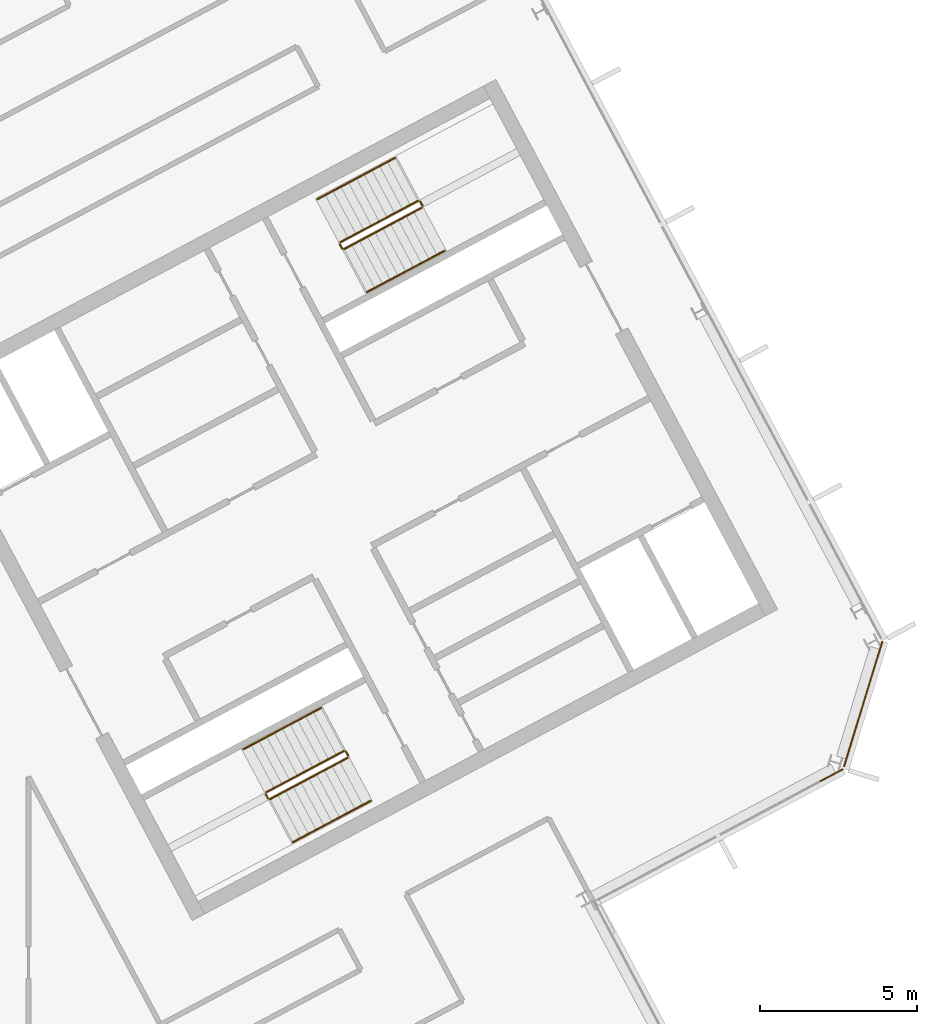
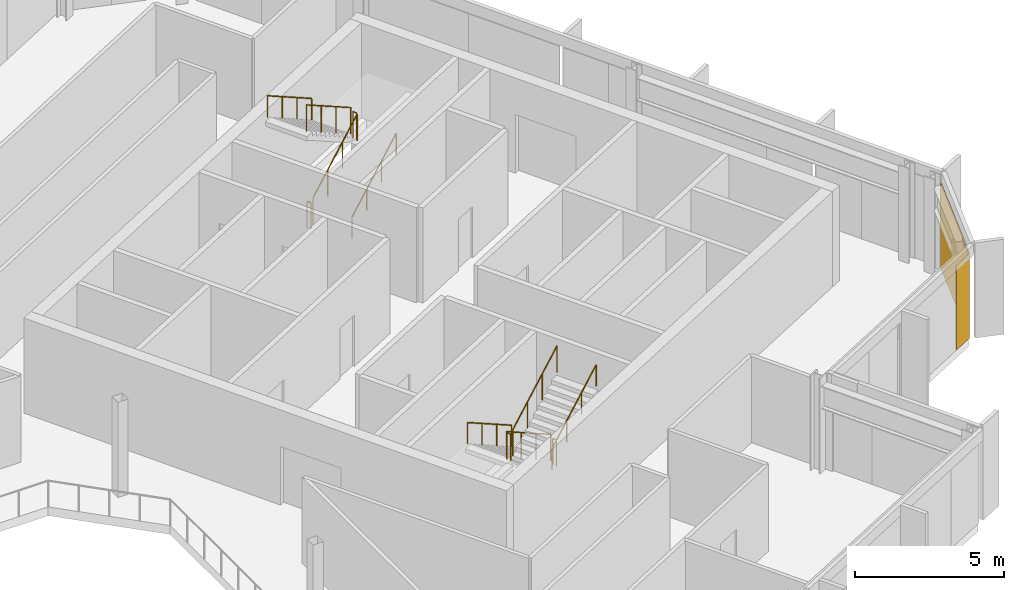
# One storey, part 25 of 26: 12 railings, 2 coverings, 2 elements without a shape of their own.
"""IFC4 building model written with IfcOpenShell, lengths in metres."""

from ifc_helpers import new_model, si_unit, direction, frame, origin, origin_2d, place, context, subcontext, project, spatial, polyline, rectangle, outline, extrude, material, layer, layer_set, type_object, element, aggregate, save


model = new_model("IFC4")

# Units and contexts
model_context = context("Model", 3, precision=1e-05, world=origin(), true_north=direction((0.0, 1.0)))
body_context = subcontext(model_context, "Body", "Model", "MODEL_VIEW")
ifc_project = project(units=[si_unit("LENGTHUNIT", "METRE"), si_unit("AREAUNIT", "SQUARE_METRE"), si_unit("VOLUMEUNIT", "CUBIC_METRE"), si_unit("PLANEANGLEUNIT", "RADIAN"), si_unit("MASSUNIT", "GRAM", prefix="KILO")], contexts=[model_context])

# Site, building, storey
site_placement = place(None, origin())
site = spatial("IfcSite", under=ifc_project, at=site_placement, CompositionType="ELEMENT")
building_placement = place(site_placement, origin())
building = spatial("IfcBuilding", under=site, at=building_placement, Name="Cormorant Relay Tower", CompositionType="ELEMENT")
storey_placement = place(building_placement, frame((0.0, 0.0, 312.60009765625)))
storey = spatial("IfcBuildingStorey", under=building, at=storey_placement, Name="L71", CompositionType="ELEMENT", Elevation=312.60009765625)

# Curtain wall, covering
ifc_material_1 = material(Name="Aluminium 6063-T6 anodised bronze", Category="aluminium")
ifc_layer_1 = layer(ifc_material_1, 0.199951171875)
ifc_layer_set_1 = layer_set([ifc_layer_1], Name="CW1 unitised bronze curtain wall with vertical fins")
curtain_wall_type = type_object("IfcCurtainWallType", Name="CW1 unitised bronze curtain wall with vertical fins", PredefinedType="NOTDEFINED", material=ifc_layer_set_1)
curtain_wall_1_placement = place(storey_placement, origin())
curtain_wall_1 = element("IfcCurtainWall", 1, at=curtain_wall_1_placement, inside=storey, type_object=curtain_wall_type, Name="CW1 curtain wall 4", PredefinedType="NOTDEFINED")
ifc_material_2 = material(Name="Pale bronze anodised aluminium insulated panel", Category="aluminium")
ifc_layer_2 = layer(ifc_material_2, 0.0400390625)
ifc_layer_set_2 = layer_set([ifc_layer_2], Name="CW1 pale bronze insulated panel 40")
covering_type = type_object("IfcCoveringType", Name="CW1 pale bronze insulated panel 40", PredefinedType="CLADDING", material=ifc_layer_set_2)
covering_1_placement = place(storey_placement, frame((39.356201171875, 3.914794921875, 0.0), z_axis=(0.0, 0.0, 1.0), x_axis=(0.882947592859, 0.469471562786, 0.0)))
covering_1 = element("IfcCovering", 2, at=covering_1_placement, type_object=covering_type, Name="CW1 panel S03", PredefinedType="CLADDING", context=body_context, shape_type="SweptSolid", body=[
    extrude(rectangle(XDim=0.824951171875, YDim=0.0400390625, at=origin_2d()), origin(), (0.0, 0.0, 1.0), 3.449951171875),
])
aggregate(curtain_wall_1, [covering_1])

curtain_wall_2_placement = place(storey_placement, origin())
curtain_wall_2 = element("IfcCurtainWall", 3, at=curtain_wall_2_placement, inside=storey, type_object=curtain_wall_type, Name="CW1 curtain wall 5", PredefinedType="NOTDEFINED")
covering_2_placement = place(storey_placement, frame((40.361328125, 6.184814453125, 0.0), z_axis=(0.0, 0.0, 1.0), x_axis=(0.292371704723, 0.956304755963, 0.0)))
covering_2 = element("IfcCovering", 4, at=covering_2_placement, type_object=covering_type, Name="CW1 panel S00", PredefinedType="CLADDING", context=body_context, shape_type="SweptSolid", body=[
    extrude(rectangle(XDim=4.16748046875, YDim=0.0400390625, at=origin_2d()), origin(), (0.0, 0.0, 1.0), 3.449951171875),
])
aggregate(curtain_wall_2, [covering_2])

# Railings
ifc_material_3 = material(Name="Steel ASTM A572 Grade 50 (Fy 345 MPa)", Category="steel")
railing_type_1 = type_object("IfcRailingType", Name="Stair guard 1100", PredefinedType="GUARDRAIL", material=ifc_material_3)
railing_1_placement = place(storey_placement, frame((23.83837890625, 4.6904296875, 0.17724609375)))
element("IfcRailing", 5, at=railing_1_placement, inside=storey, type_object=railing_type_1, Name="L71 B1 stair guard 1", PredefinedType="GUARDRAIL", context=body_context, shape_type="SweptSolid", body=[
    extrude(outline(polyline([(0.022216796875, 0.00927734375), (0.00927734375, 0.022216796875), (-0.00927734375, 0.022216796875), (-0.022216796875, 0.00927734375), (-0.022216796875, -0.00927734375), (-0.00927734375, -0.022216796875), (0.00927734375, -0.022216796875), (0.022216796875, -0.00927734375), (0.022216796875, 0.00927734375)])), frame((0.0, 0.0, 1.076171875), z_axis=(-0.746033882577, -0.396627473466, 0.534901947407), x_axis=(0.469429322983, -0.882970050864, 0.0)), (0.0, 0.0, 1.0), 3.31396484375),
    extrude(outline(polyline([(0.019287109375, 0.008056640625), (0.008056640625, 0.019287109375), (-0.008056640625, 0.019287109375), (-0.019287109375, 0.008056640625), (-0.019287109375, -0.008056640625), (-0.008056640625, -0.019287109375), (0.008056640625, -0.019287109375), (0.019287109375, -0.008056640625), (0.019287109375, 0.008056640625)])), origin(), (0.0, 0.0, 1.0), 1.052001953125),
    extrude(outline(polyline([(0.019287109375, 0.008056640625), (0.008056640625, 0.019287109375), (-0.008056640625, 0.019287109375), (-0.019287109375, 0.008056640625), (-0.019287109375, -0.008056640625), (-0.008056640625, -0.019287109375), (0.008056640625, -0.019287109375), (0.019287109375, -0.008056640625), (0.019287109375, 0.008056640625)])), frame((-0.82421875, -0.438232421875, 0.5908203125)), (0.0, 0.0, 1.0), 1.052001953125),
    extrude(outline(polyline([(0.019287109375, 0.008056640625), (0.008056640625, 0.019287109375), (-0.008056640625, 0.019287109375), (-0.019287109375, 0.008056640625), (-0.019287109375, -0.008056640625), (-0.008056640625, -0.019287109375), (0.008056640625, -0.019287109375), (0.019287109375, -0.008056640625), (0.019287109375, 0.008056640625)])), frame((-1.648193359375, -0.876220703125, 1.181884765625)), (0.0, 0.0, 1.0), 1.052001953125),
    extrude(outline(polyline([(0.019287109375, 0.008056640625), (0.008056640625, 0.019287109375), (-0.008056640625, 0.019287109375), (-0.019287109375, 0.008056640625), (-0.019287109375, -0.008056640625), (-0.008056640625, -0.019287109375), (0.008056640625, -0.019287109375), (0.019287109375, -0.008056640625), (0.019287109375, 0.008056640625)])), frame((-2.472412109375, -1.314453125, 1.772705078125)), (0.0, 0.0, 1.0), 1.052001953125),
])
railing_2_placement = place(storey_placement, frame((21.345458984375, 3.308349609375, 1.949951171875)))
element("IfcRailing", 6, at=railing_2_placement, inside=storey, type_object=railing_type_1, Name="L71 B1 stair guard 2", PredefinedType="GUARDRAIL", context=body_context, shape_type="SweptSolid", body=[
    extrude(outline(polyline([(0.022216796875, 0.00927734375), (0.00927734375, 0.022216796875), (-0.00927734375, 0.022216796875), (-0.022216796875, 0.00927734375), (-0.022216796875, -0.00927734375), (-0.00927734375, -0.022216796875), (0.00927734375, -0.022216796875), (0.022216796875, -0.00927734375), (0.022216796875, 0.00927734375)])), frame((0.0, 0.0, 1.076171875), z_axis=(0.46856034887, -0.8834314911, 0.0), x_axis=(0.8834314911, 0.46856034887, 0.0)), (0.0, 0.0, 1.0), 0.150146484375),
    extrude(outline(polyline([(0.019287109375, 0.008056640625), (0.008056640625, 0.019287109375), (-0.008056640625, 0.019287109375), (-0.019287109375, 0.008056640625), (-0.019287109375, -0.008056640625), (-0.008056640625, -0.019287109375), (0.008056640625, -0.019287109375), (0.019287109375, -0.008056640625), (0.019287109375, 0.008056640625)])), origin(), (0.0, 0.0, 1.0), 1.052001953125),
    extrude(outline(polyline([(0.019287109375, 0.008056640625), (0.008056640625, 0.019287109375), (-0.008056640625, 0.019287109375), (-0.019287109375, 0.008056640625), (-0.019287109375, -0.008056640625), (-0.008056640625, -0.019287109375), (0.008056640625, -0.019287109375), (0.019287109375, -0.008056640625), (0.019287109375, 0.008056640625)])), frame((0.0703125, -0.132568359375, 0.0)), (0.0, 0.0, 1.0), 1.052001953125),
])
railing_3_placement = place(storey_placement, frame((21.4833984375, 3.1552734375, 2.127197265625)))
element("IfcRailing", 7, at=railing_3_placement, inside=storey, type_object=railing_type_1, Name="L71 B1 stair guard 3", PredefinedType="GUARDRAIL", context=body_context, shape_type="SweptSolid", body=[
    extrude(outline(polyline([(0.022216796875, 0.00927734375), (0.00927734375, 0.022216796875), (-0.00927734375, 0.022216796875), (-0.022216796875, 0.00927734375), (-0.022216796875, -0.00927734375), (-0.00927734375, -0.022216796875), (0.00927734375, -0.022216796875), (0.022216796875, -0.00927734375), (0.022216796875, 0.00927734375)])), frame((0.0, 0.0, 1.076171875), z_axis=(0.746001213114, 0.396649272309, 0.534931345884), x_axis=(-0.469465464807, 0.882950835185, 0.0)), (0.0, 0.0, 1.0), 3.31396484375),
    extrude(outline(polyline([(0.019287109375, 0.008056640625), (0.008056640625, 0.019287109375), (-0.008056640625, 0.019287109375), (-0.019287109375, 0.008056640625), (-0.019287109375, -0.008056640625), (-0.008056640625, -0.019287109375), (0.008056640625, -0.019287109375), (0.019287109375, -0.008056640625), (0.019287109375, 0.008056640625)])), origin(), (0.0, 0.0, 1.0), 1.052001953125),
    extrude(outline(polyline([(0.019287109375, 0.008056640625), (0.008056640625, 0.019287109375), (-0.008056640625, 0.019287109375), (-0.019287109375, 0.008056640625), (-0.019287109375, -0.008056640625), (-0.008056640625, -0.019287109375), (0.008056640625, -0.019287109375), (0.019287109375, -0.008056640625), (0.019287109375, 0.008056640625)])), frame((0.823974609375, 0.438232421875, 0.5908203125)), (0.0, 0.0, 1.0), 1.052001953125),
    extrude(outline(polyline([(0.019287109375, 0.008056640625), (0.008056640625, 0.019287109375), (-0.008056640625, 0.019287109375), (-0.019287109375, 0.008056640625), (-0.019287109375, -0.008056640625), (-0.008056640625, -0.019287109375), (0.008056640625, -0.019287109375), (0.019287109375, -0.008056640625), (0.019287109375, 0.008056640625)])), frame((1.648193359375, 0.876220703125, 1.181884765625)), (0.0, 0.0, 1.0), 1.052001953125),
    extrude(outline(polyline([(0.019287109375, 0.008056640625), (0.008056640625, 0.019287109375), (-0.008056640625, 0.019287109375), (-0.019287109375, 0.008056640625), (-0.019287109375, -0.008056640625), (-0.008056640625, -0.019287109375), (0.008056640625, -0.019287109375), (0.019287109375, -0.008056640625), (0.019287109375, 0.008056640625)])), frame((2.47216796875, 1.314453125, 1.772705078125)), (0.0, 0.0, 1.0), 1.052001953125),
])
railing_4_placement = place(storey_placement, frame((23.906005859375, 4.669677734375, 0.0)))
element("IfcRailing", 8, at=railing_4_placement, inside=storey, type_object=railing_type_1, Name="L71 B1 stair guard 4", PredefinedType="GUARDRAIL", context=body_context, shape_type="SweptSolid", body=[
    extrude(outline(polyline([(0.022216796875, 0.00927734375), (0.00927734375, 0.022216796875), (-0.00927734375, 0.022216796875), (-0.022216796875, 0.00927734375), (-0.022216796875, -0.00927734375), (-0.00927734375, -0.022216796875), (0.00927734375, -0.022216796875), (0.022216796875, -0.00927734375), (0.022216796875, 0.00927734375)])), frame((0.0, 0.0, 1.076171875), z_axis=(0.469234640946, -0.883073525669, 0.0), x_axis=(0.883073525669, 0.469234640946, 0.0)), (0.0, 0.0, 1.0), 0.14990234375),
    extrude(outline(polyline([(0.019287109375, 0.008056640625), (0.008056640625, 0.019287109375), (-0.008056640625, 0.019287109375), (-0.019287109375, 0.008056640625), (-0.019287109375, -0.008056640625), (-0.008056640625, -0.019287109375), (0.008056640625, -0.019287109375), (0.019287109375, -0.008056640625), (0.019287109375, 0.008056640625)])), origin(), (0.0, 0.0, 1.0), 1.052001953125),
    extrude(outline(polyline([(0.019287109375, 0.008056640625), (0.008056640625, 0.019287109375), (-0.008056640625, 0.019287109375), (-0.019287109375, 0.008056640625), (-0.019287109375, -0.008056640625), (-0.008056640625, -0.019287109375), (0.008056640625, -0.019287109375), (0.019287109375, -0.008056640625), (0.019287109375, 0.008056640625)])), frame((0.0703125, -0.13232421875, 0.0)), (0.0, 0.0, 1.0), 1.052001953125),
])
railing_5_placement = place(storey_placement, frame((23.8408203125, 20.6611328125, 0.17724609375)))
element("IfcRailing", 9, at=railing_5_placement, inside=storey, type_object=railing_type_1, Name="L71 B2 stair guard 1", PredefinedType="GUARDRAIL", context=body_context, shape_type="SweptSolid", body=[
    extrude(outline(polyline([(0.022216796875, 0.00927734375), (0.00927734375, 0.022216796875), (-0.00927734375, 0.022216796875), (-0.022216796875, 0.00927734375), (-0.022216796875, -0.00927734375), (-0.00927734375, -0.022216796875), (0.00927734375, -0.022216796875), (0.022216796875, -0.00927734375), (0.022216796875, 0.00927734375)])), frame((0.0, 0.0, 1.076171875), z_axis=(0.746033882577, 0.396627473466, 0.534901947407), x_axis=(-0.469429322983, 0.882970050864, 0.0)), (0.0, 0.0, 1.0), 3.31396484375),
    extrude(outline(polyline([(0.019287109375, 0.008056640625), (0.008056640625, 0.019287109375), (-0.008056640625, 0.019287109375), (-0.019287109375, 0.008056640625), (-0.019287109375, -0.008056640625), (-0.008056640625, -0.019287109375), (0.008056640625, -0.019287109375), (0.019287109375, -0.008056640625), (0.019287109375, 0.008056640625)])), origin(), (0.0, 0.0, 1.0), 1.052001953125),
    extrude(outline(polyline([(0.019287109375, 0.008056640625), (0.008056640625, 0.019287109375), (-0.008056640625, 0.019287109375), (-0.019287109375, 0.008056640625), (-0.019287109375, -0.008056640625), (-0.008056640625, -0.019287109375), (0.008056640625, -0.019287109375), (0.019287109375, -0.008056640625), (0.019287109375, 0.008056640625)])), frame((0.82421875, 0.438232421875, 0.5908203125)), (0.0, 0.0, 1.0), 1.052001953125),
    extrude(outline(polyline([(0.019287109375, 0.008056640625), (0.008056640625, 0.019287109375), (-0.008056640625, 0.019287109375), (-0.019287109375, 0.008056640625), (-0.019287109375, -0.008056640625), (-0.008056640625, -0.019287109375), (0.008056640625, -0.019287109375), (0.019287109375, -0.008056640625), (0.019287109375, 0.008056640625)])), frame((1.648193359375, 0.876220703125, 1.181884765625)), (0.0, 0.0, 1.0), 1.052001953125),
    extrude(outline(polyline([(0.019287109375, 0.008056640625), (0.008056640625, 0.019287109375), (-0.008056640625, 0.019287109375), (-0.019287109375, 0.008056640625), (-0.019287109375, -0.008056640625), (-0.008056640625, -0.019287109375), (0.008056640625, -0.019287109375), (0.019287109375, -0.008056640625), (0.019287109375, 0.008056640625)])), frame((2.472412109375, 1.314453125, 1.772705078125)), (0.0, 0.0, 1.0), 1.052001953125),
])
railing_6_placement = place(storey_placement, frame((26.333740234375, 22.043212890625, 1.949951171875)))
element("IfcRailing", 10, at=railing_6_placement, inside=storey, type_object=railing_type_1, Name="L71 B2 stair guard 2", PredefinedType="GUARDRAIL", context=body_context, shape_type="SweptSolid", body=[
    extrude(outline(polyline([(0.022216796875, 0.00927734375), (0.00927734375, 0.022216796875), (-0.00927734375, 0.022216796875), (-0.022216796875, 0.00927734375), (-0.022216796875, -0.00927734375), (-0.00927734375, -0.022216796875), (0.00927734375, -0.022216796875), (0.022216796875, -0.00927734375), (0.022216796875, 0.00927734375)])), frame((0.0, 0.0, 1.076171875), z_axis=(-0.469234640946, 0.883073525669, 0.0), x_axis=(-0.883073525669, -0.469234640946, 0.0)), (0.0, 0.0, 1.0), 0.14990234375),
    extrude(outline(polyline([(0.019287109375, 0.008056640625), (0.008056640625, 0.019287109375), (-0.008056640625, 0.019287109375), (-0.019287109375, 0.008056640625), (-0.019287109375, -0.008056640625), (-0.008056640625, -0.019287109375), (0.008056640625, -0.019287109375), (0.019287109375, -0.008056640625), (0.019287109375, 0.008056640625)])), origin(), (0.0, 0.0, 1.0), 1.052001953125),
    extrude(outline(polyline([(0.019287109375, 0.008056640625), (0.008056640625, 0.019287109375), (-0.008056640625, 0.019287109375), (-0.019287109375, 0.008056640625), (-0.019287109375, -0.008056640625), (-0.008056640625, -0.019287109375), (0.008056640625, -0.019287109375), (0.019287109375, -0.008056640625), (0.019287109375, 0.008056640625)])), frame((-0.0703125, 0.13232421875, 0.0)), (0.0, 0.0, 1.0), 1.052001953125),
])
railing_7_placement = place(storey_placement, frame((26.19580078125, 22.1962890625, 2.127197265625)))
element("IfcRailing", 11, at=railing_7_placement, inside=storey, type_object=railing_type_1, Name="L71 B2 stair guard 3", PredefinedType="GUARDRAIL", context=body_context, shape_type="SweptSolid", body=[
    extrude(outline(polyline([(0.022216796875, 0.00927734375), (0.00927734375, 0.022216796875), (-0.00927734375, 0.022216796875), (-0.022216796875, 0.00927734375), (-0.022216796875, -0.00927734375), (-0.00927734375, -0.022216796875), (0.00927734375, -0.022216796875), (0.022216796875, -0.00927734375), (0.022216796875, 0.00927734375)])), frame((0.0, 0.0, 1.076171875), z_axis=(-0.746033882577, -0.396627473466, 0.534901947407), x_axis=(0.469429322983, -0.882970050864, 0.0)), (0.0, 0.0, 1.0), 3.31396484375),
    extrude(outline(polyline([(0.019287109375, 0.008056640625), (0.008056640625, 0.019287109375), (-0.008056640625, 0.019287109375), (-0.019287109375, 0.008056640625), (-0.019287109375, -0.008056640625), (-0.008056640625, -0.019287109375), (0.008056640625, -0.019287109375), (0.019287109375, -0.008056640625), (0.019287109375, 0.008056640625)])), origin(), (0.0, 0.0, 1.0), 1.052001953125),
    extrude(outline(polyline([(0.019287109375, 0.008056640625), (0.008056640625, 0.019287109375), (-0.008056640625, 0.019287109375), (-0.019287109375, 0.008056640625), (-0.019287109375, -0.008056640625), (-0.008056640625, -0.019287109375), (0.008056640625, -0.019287109375), (0.019287109375, -0.008056640625), (0.019287109375, 0.008056640625)])), frame((-0.82421875, -0.438232421875, 0.5908203125)), (0.0, 0.0, 1.0), 1.052001953125),
    extrude(outline(polyline([(0.019287109375, 0.008056640625), (0.008056640625, 0.019287109375), (-0.008056640625, 0.019287109375), (-0.019287109375, 0.008056640625), (-0.019287109375, -0.008056640625), (-0.008056640625, -0.019287109375), (0.008056640625, -0.019287109375), (0.019287109375, -0.008056640625), (0.019287109375, 0.008056640625)])), frame((-1.648193359375, -0.876220703125, 1.181884765625)), (0.0, 0.0, 1.0), 1.052001953125),
    extrude(outline(polyline([(0.019287109375, 0.008056640625), (0.008056640625, 0.019287109375), (-0.008056640625, 0.019287109375), (-0.019287109375, 0.008056640625), (-0.019287109375, -0.008056640625), (-0.008056640625, -0.019287109375), (0.008056640625, -0.019287109375), (0.019287109375, -0.008056640625), (0.019287109375, 0.008056640625)])), frame((-2.472412109375, -1.314453125, 1.772705078125)), (0.0, 0.0, 1.0), 1.052001953125),
])
railing_8_placement = place(storey_placement, frame((23.773193359375, 20.681640625, 0.0)))
element("IfcRailing", 12, at=railing_8_placement, inside=storey, type_object=railing_type_1, Name="L71 B2 stair guard 4", PredefinedType="GUARDRAIL", context=body_context, shape_type="SweptSolid", body=[
    extrude(outline(polyline([(0.022216796875, 0.00927734375), (0.00927734375, 0.022216796875), (-0.00927734375, 0.022216796875), (-0.022216796875, 0.00927734375), (-0.022216796875, -0.00927734375), (-0.00927734375, -0.022216796875), (0.00927734375, -0.022216796875), (0.022216796875, -0.00927734375), (0.022216796875, 0.00927734375)])), frame((0.0, 0.0, 1.076171875), z_axis=(-0.46856034887, 0.8834314911, 0.0), x_axis=(-0.8834314911, -0.46856034887, 0.0)), (0.0, 0.0, 1.0), 0.150146484375),
    extrude(outline(polyline([(0.019287109375, 0.008056640625), (0.008056640625, 0.019287109375), (-0.008056640625, 0.019287109375), (-0.019287109375, 0.008056640625), (-0.019287109375, -0.008056640625), (-0.008056640625, -0.019287109375), (0.008056640625, -0.019287109375), (0.019287109375, -0.008056640625), (0.019287109375, 0.008056640625)])), origin(), (0.0, 0.0, 1.0), 1.052001953125),
    extrude(outline(polyline([(0.019287109375, 0.008056640625), (0.008056640625, 0.019287109375), (-0.008056640625, 0.019287109375), (-0.019287109375, 0.008056640625), (-0.019287109375, -0.008056640625), (-0.008056640625, -0.019287109375), (0.008056640625, -0.019287109375), (0.019287109375, -0.008056640625), (0.019287109375, 0.008056640625)])), frame((-0.0703125, 0.132568359375, 0.0)), (0.0, 0.0, 1.0), 1.052001953125),
])
ifc_material_4 = material(Name="Steel ASTM A572 Grade 50 (Fy 345 MPa)", Category="steel")
railing_type_2 = type_object("IfcRailingType", Name="Stair handrail 900", PredefinedType="HANDRAIL", material=ifc_material_4)
railing_9_placement = place(storey_placement, frame((23.110595703125, 6.05908203125, 0.17724609375)))
element("IfcRailing", 13, at=railing_9_placement, inside=storey, type_object=railing_type_2, Name="L71 B1 stair handrail 1", PredefinedType="HANDRAIL", context=body_context, shape_type="SweptSolid", body=[
    extrude(outline(polyline([(0.022216796875, 0.00927734375), (0.00927734375, 0.022216796875), (-0.00927734375, 0.022216796875), (-0.022216796875, 0.00927734375), (-0.022216796875, -0.00927734375), (-0.00927734375, -0.022216796875), (0.00927734375, -0.022216796875), (0.022216796875, -0.00927734375), (0.022216796875, 0.00927734375)])), frame((0.0, 0.0, 0.8759765625), z_axis=(-0.745979412481, -0.396711350603, 0.534915713414), x_axis=(0.469533439143, -0.882914689835, 0.0)), (0.0, 0.0, 1.0), 3.31396484375),
    extrude(outline(polyline([(0.019287109375, 0.008056640625), (0.008056640625, 0.019287109375), (-0.008056640625, 0.019287109375), (-0.019287109375, 0.008056640625), (-0.019287109375, -0.008056640625), (-0.008056640625, -0.019287109375), (0.008056640625, -0.019287109375), (0.019287109375, -0.008056640625), (0.019287109375, 0.008056640625)])), origin(), (0.0, 0.0, 1.0), 0.851806640625),
    extrude(outline(polyline([(0.019287109375, 0.008056640625), (0.008056640625, 0.019287109375), (-0.008056640625, 0.019287109375), (-0.019287109375, 0.008056640625), (-0.019287109375, -0.008056640625), (-0.008056640625, -0.019287109375), (0.008056640625, -0.019287109375), (0.019287109375, -0.008056640625), (0.019287109375, 0.008056640625)])), frame((-0.823974609375, -0.438232421875, 0.5908203125)), (0.0, 0.0, 1.0), 0.851806640625),
    extrude(outline(polyline([(0.019287109375, 0.008056640625), (0.008056640625, 0.019287109375), (-0.008056640625, 0.019287109375), (-0.019287109375, 0.008056640625), (-0.019287109375, -0.008056640625), (-0.008056640625, -0.019287109375), (0.008056640625, -0.019287109375), (0.019287109375, -0.008056640625), (0.019287109375, 0.008056640625)])), frame((-1.648193359375, -0.87646484375, 1.181884765625)), (0.0, 0.0, 1.0), 0.851806640625),
    extrude(outline(polyline([(0.019287109375, 0.008056640625), (0.008056640625, 0.019287109375), (-0.008056640625, 0.019287109375), (-0.019287109375, 0.008056640625), (-0.019287109375, -0.008056640625), (-0.008056640625, -0.019287109375), (0.008056640625, -0.019287109375), (0.019287109375, -0.008056640625), (0.019287109375, 0.008056640625)])), frame((-2.47216796875, -1.314697265625, 1.772705078125)), (0.0, 0.0, 1.0), 0.851806640625),
])
railing_10_placement = place(storey_placement, frame((22.211181640625, 1.78662109375, 2.127197265625)))
element("IfcRailing", 14, at=railing_10_placement, inside=storey, type_object=railing_type_2, Name="L71 B1 stair handrail 2", PredefinedType="HANDRAIL", context=body_context, shape_type="SweptSolid", body=[
    extrude(outline(polyline([(0.022216796875, 0.00927734375), (0.00927734375, 0.022216796875), (-0.00927734375, 0.022216796875), (-0.022216796875, 0.00927734375), (-0.022216796875, -0.00927734375), (-0.00927734375, -0.022216796875), (0.00927734375, -0.022216796875), (0.022216796875, -0.00927734375), (0.022216796875, 0.00927734375)])), frame((0.0, 0.0, 0.8759765625), z_axis=(0.746001213114, 0.396649272309, 0.534931345884), x_axis=(-0.469465464807, 0.882950835185, 0.0)), (0.0, 0.0, 1.0), 3.31396484375),
    extrude(outline(polyline([(0.019287109375, 0.008056640625), (0.008056640625, 0.019287109375), (-0.008056640625, 0.019287109375), (-0.019287109375, 0.008056640625), (-0.019287109375, -0.008056640625), (-0.008056640625, -0.019287109375), (0.008056640625, -0.019287109375), (0.019287109375, -0.008056640625), (0.019287109375, 0.008056640625)])), origin(), (0.0, 0.0, 1.0), 0.851806640625),
    extrude(outline(polyline([(0.019287109375, 0.008056640625), (0.008056640625, 0.019287109375), (-0.008056640625, 0.019287109375), (-0.019287109375, 0.008056640625), (-0.019287109375, -0.008056640625), (-0.008056640625, -0.019287109375), (0.008056640625, -0.019287109375), (0.019287109375, -0.008056640625), (0.019287109375, 0.008056640625)])), frame((0.823974609375, 0.438232421875, 0.5908203125)), (0.0, 0.0, 1.0), 0.851806640625),
    extrude(outline(polyline([(0.019287109375, 0.008056640625), (0.008056640625, 0.019287109375), (-0.008056640625, 0.019287109375), (-0.019287109375, 0.008056640625), (-0.019287109375, -0.008056640625), (-0.008056640625, -0.019287109375), (0.008056640625, -0.019287109375), (0.019287109375, -0.008056640625), (0.019287109375, 0.008056640625)])), frame((1.648193359375, 0.876220703125, 1.181884765625)), (0.0, 0.0, 1.0), 0.851806640625),
    extrude(outline(polyline([(0.019287109375, 0.008056640625), (0.008056640625, 0.019287109375), (-0.008056640625, 0.019287109375), (-0.019287109375, 0.008056640625), (-0.019287109375, -0.008056640625), (-0.008056640625, -0.019287109375), (0.008056640625, -0.019287109375), (0.019287109375, -0.008056640625), (0.019287109375, 0.008056640625)])), frame((2.47216796875, 1.314453125, 1.772705078125)), (0.0, 0.0, 1.0), 0.851806640625),
])
railing_11_placement = place(storey_placement, frame((24.568603515625, 19.29248046875, 0.17724609375)))
element("IfcRailing", 15, at=railing_11_placement, inside=storey, type_object=railing_type_2, Name="L71 B2 stair handrail 1", PredefinedType="HANDRAIL", context=body_context, shape_type="SweptSolid", body=[
    extrude(outline(polyline([(0.022216796875, 0.00927734375), (0.00927734375, 0.022216796875), (-0.00927734375, 0.022216796875), (-0.022216796875, 0.00927734375), (-0.022216796875, -0.00927734375), (-0.00927734375, -0.022216796875), (0.00927734375, -0.022216796875), (0.022216796875, -0.00927734375), (0.022216796875, 0.00927734375)])), frame((0.0, 0.0, 0.8759765625), z_axis=(0.746001213114, 0.396649272309, 0.534931345884), x_axis=(-0.469465464807, 0.882950835185, 0.0)), (0.0, 0.0, 1.0), 3.31396484375),
    extrude(outline(polyline([(0.019287109375, 0.008056640625), (0.008056640625, 0.019287109375), (-0.008056640625, 0.019287109375), (-0.019287109375, 0.008056640625), (-0.019287109375, -0.008056640625), (-0.008056640625, -0.019287109375), (0.008056640625, -0.019287109375), (0.019287109375, -0.008056640625), (0.019287109375, 0.008056640625)])), origin(), (0.0, 0.0, 1.0), 0.851806640625),
    extrude(outline(polyline([(0.019287109375, 0.008056640625), (0.008056640625, 0.019287109375), (-0.008056640625, 0.019287109375), (-0.019287109375, 0.008056640625), (-0.019287109375, -0.008056640625), (-0.008056640625, -0.019287109375), (0.008056640625, -0.019287109375), (0.019287109375, -0.008056640625), (0.019287109375, 0.008056640625)])), frame((0.823974609375, 0.438232421875, 0.5908203125)), (0.0, 0.0, 1.0), 0.851806640625),
    extrude(outline(polyline([(0.019287109375, 0.008056640625), (0.008056640625, 0.019287109375), (-0.008056640625, 0.019287109375), (-0.019287109375, 0.008056640625), (-0.019287109375, -0.008056640625), (-0.008056640625, -0.019287109375), (0.008056640625, -0.019287109375), (0.019287109375, -0.008056640625), (0.019287109375, 0.008056640625)])), frame((1.648193359375, 0.876220703125, 1.181884765625)), (0.0, 0.0, 1.0), 0.851806640625),
    extrude(outline(polyline([(0.019287109375, 0.008056640625), (0.008056640625, 0.019287109375), (-0.008056640625, 0.019287109375), (-0.019287109375, 0.008056640625), (-0.019287109375, -0.008056640625), (-0.008056640625, -0.019287109375), (0.008056640625, -0.019287109375), (0.019287109375, -0.008056640625), (0.019287109375, 0.008056640625)])), frame((2.47216796875, 1.314453125, 1.772705078125)), (0.0, 0.0, 1.0), 0.851806640625),
])
railing_12_placement = place(storey_placement, frame((25.468017578125, 23.56494140625, 2.127197265625)))
element("IfcRailing", 16, at=railing_12_placement, inside=storey, type_object=railing_type_2, Name="L71 B2 stair handrail 2", PredefinedType="HANDRAIL", context=body_context, shape_type="SweptSolid", body=[
    extrude(outline(polyline([(0.022216796875, 0.00927734375), (0.00927734375, 0.022216796875), (-0.00927734375, 0.022216796875), (-0.022216796875, 0.00927734375), (-0.022216796875, -0.00927734375), (-0.00927734375, -0.022216796875), (0.00927734375, -0.022216796875), (0.022216796875, -0.00927734375), (0.022216796875, 0.00927734375)])), frame((0.0, 0.0, 0.8759765625), z_axis=(-0.745979412481, -0.396711350603, 0.534915713414), x_axis=(0.469533439143, -0.882914689835, 0.0)), (0.0, 0.0, 1.0), 3.31396484375),
    extrude(outline(polyline([(0.019287109375, 0.008056640625), (0.008056640625, 0.019287109375), (-0.008056640625, 0.019287109375), (-0.019287109375, 0.008056640625), (-0.019287109375, -0.008056640625), (-0.008056640625, -0.019287109375), (0.008056640625, -0.019287109375), (0.019287109375, -0.008056640625), (0.019287109375, 0.008056640625)])), origin(), (0.0, 0.0, 1.0), 0.851806640625),
    extrude(outline(polyline([(0.019287109375, 0.008056640625), (0.008056640625, 0.019287109375), (-0.008056640625, 0.019287109375), (-0.019287109375, 0.008056640625), (-0.019287109375, -0.008056640625), (-0.008056640625, -0.019287109375), (0.008056640625, -0.019287109375), (0.019287109375, -0.008056640625), (0.019287109375, 0.008056640625)])), frame((-0.823974609375, -0.438232421875, 0.5908203125)), (0.0, 0.0, 1.0), 0.851806640625),
    extrude(outline(polyline([(0.019287109375, 0.008056640625), (0.008056640625, 0.019287109375), (-0.008056640625, 0.019287109375), (-0.019287109375, 0.008056640625), (-0.019287109375, -0.008056640625), (-0.008056640625, -0.019287109375), (0.008056640625, -0.019287109375), (0.019287109375, -0.008056640625), (0.019287109375, 0.008056640625)])), frame((-1.648193359375, -0.87646484375, 1.181884765625)), (0.0, 0.0, 1.0), 0.851806640625),
    extrude(outline(polyline([(0.019287109375, 0.008056640625), (0.008056640625, 0.019287109375), (-0.008056640625, 0.019287109375), (-0.019287109375, 0.008056640625), (-0.019287109375, -0.008056640625), (-0.008056640625, -0.019287109375), (0.008056640625, -0.019287109375), (0.019287109375, -0.008056640625), (0.019287109375, 0.008056640625)])), frame((-2.47216796875, -1.314697265625, 1.772705078125)), (0.0, 0.0, 1.0), 0.851806640625),
])

save(model, "model.ifc")
